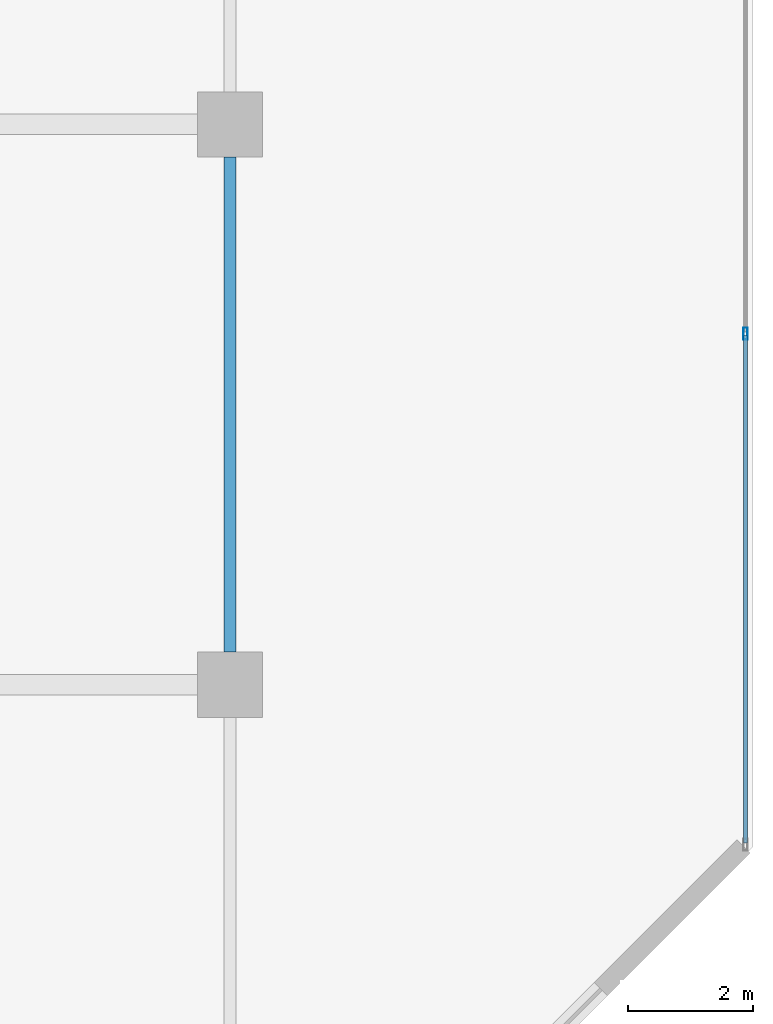
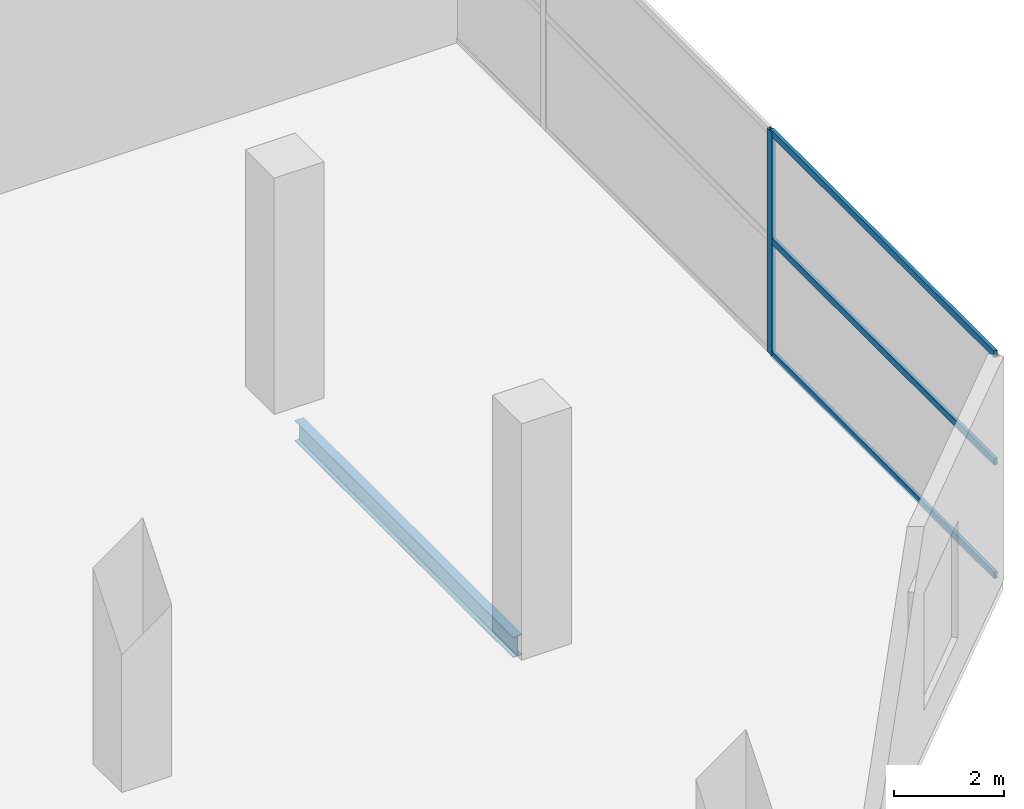
# One storey, part 25 of 40: 4 members, 1 beam, 1 element without a shape of its own.
"""IFC4 building model written with IfcOpenShell, lengths in metres."""

from ifc_helpers import new_model, si_unit, direction, frame, origin, origin_2d, place, context, subcontext, project, spatial, hollow_rectangle, i_section, extrude, material, layer, layer_set, material_profile, profile_set, type_object, element, aggregate, save


model = new_model("IFC4")

# Units and contexts
model_context = context("Model", 3, precision=1e-05, world=origin(), true_north=direction((0.0, 1.0)))
body_context = subcontext(model_context, "Body", "Model", "MODEL_VIEW")
ifc_project = project(units=[si_unit("LENGTHUNIT", "METRE"), si_unit("AREAUNIT", "SQUARE_METRE"), si_unit("VOLUMEUNIT", "CUBIC_METRE"), si_unit("PLANEANGLEUNIT", "RADIAN"), si_unit("MASSUNIT", "GRAM", prefix="KILO")], contexts=[model_context])

# Site, building, storey
site_placement = place(None, origin())
site = spatial("IfcSite", under=ifc_project, at=site_placement, CompositionType="ELEMENT")
building_placement = place(site_placement, origin())
building = spatial("IfcBuilding", under=site, at=building_placement, Name="Maruvema Waterfront Hotel and Observation Tower", CompositionType="ELEMENT")
storey_placement = place(building_placement, frame((0.0, 0.0, 5.60009765625)))
storey = spatial("IfcBuildingStorey", under=building, at=storey_placement, Name="L01", CompositionType="ELEMENT", Elevation=5.60009765625)

# Curtain wall, members
ifc_material_1 = material(Name="Anodised bronze aluminium and solar-control low-E IGU", Category="aluminium")
ifc_layer = layer(ifc_material_1, 0.159912109375, Name="Podium Waterfront Storefront Curtain Wall System CW-01")
ifc_layer_set = layer_set([ifc_layer], Name="Anodised bronze aluminium and solar-control low-E IGU")
curtain_wall_type = type_object("IfcCurtainWallType", Name="Podium Waterfront Storefront Curtain Wall System CW-01", PredefinedType="USERDEFINED", material=ifc_layer_set)
curtain_wall_placement = place(storey_placement, origin())
curtain_wall = element("IfcCurtainWall", 1, at=curtain_wall_placement, inside=storey, type_object=curtain_wall_type, Name="L01 Curtain Wall CW-L01-E", ObjectType="UNITISED CURTAIN WALL", PredefinedType="USERDEFINED")
ifc_material_2 = material(Name="Anodised architectural bronze aluminium", Category="aluminium")
ifc_material_profile_1 = material_profile(ifc_material_2, hollow_rectangle(XDim=0.070068359375, YDim=0.14990234375, WallThickness=0.00390625, at=origin_2d()), Name="ALU-T70x150")
ifc_profile_set_1 = profile_set([ifc_material_profile_1], Name="Anodised architectural bronze aluminium")
member_type_1 = type_object("IfcMemberType", Name="Curtain Wall Horizontal Transom ALU-T70x150", PredefinedType="USERDEFINED", material=ifc_profile_set_1)
member_1_placement = place(storey_placement, frame((75.47998046875, 6.4599609375, 0.02978515625), z_axis=(0.0, 1.0, 0.0), x_axis=(-1.0, 0.0, 0.0)))
member_1 = element("IfcMember", 2, at=member_1_placement, type_object=member_type_1, Name="CW-01 transom 1.1", ObjectType="TRANSOM", PredefinedType="USERDEFINED", context=body_context, shape_type="SweptSolid", body=[
    extrude(hollow_rectangle(XDim=0.070068359375, YDim=0.14990234375, WallThickness=0.00390625, at=origin_2d()), origin(), (0.0, 0.0, 1.0), 8.150146484375),
])
member_2_placement = place(storey_placement, frame((75.47998046875, 6.4599609375, 2.5498046875), z_axis=(0.0, 1.0, 0.0), x_axis=(-1.0, 0.0, 0.0)))
member_2 = element("IfcMember", 3, at=member_2_placement, type_object=member_type_1, Name="CW-01 transom 1.2", ObjectType="TRANSOM", PredefinedType="USERDEFINED", context=body_context, shape_type="SweptSolid", body=[
    extrude(hollow_rectangle(XDim=0.070068359375, YDim=0.14990234375, WallThickness=0.00390625, at=origin_2d()), origin(), (0.0, 0.0, 1.0), 8.150146484375),
])
member_3_placement = place(storey_placement, frame((75.47998046875, 6.4599609375, 4.93994140625), z_axis=(0.0, 1.0, 0.0), x_axis=(-1.0, 0.0, 0.0)))
member_3 = element("IfcMember", 4, at=member_3_placement, type_object=member_type_1, Name="CW-01 transom 1.3", ObjectType="TRANSOM", PredefinedType="USERDEFINED", context=body_context, shape_type="SweptSolid", body=[
    extrude(hollow_rectangle(XDim=0.070068359375, YDim=0.14990234375, WallThickness=0.00390625, at=origin_2d()), origin(), (0.0, 0.0, 1.0), 8.150146484375),
])

# Beam
ifc_material_3 = material(Name="Steel ASTM A572 Grade 50", Category="steel")
ifc_material_profile_2 = material_profile(ifc_material_3, i_section(OverallWidth=0.18994140625, OverallDepth=0.45703125, WebThickness=0.009033203125, FlangeThickness=0.014404296875, FilletRadius=0.014892578125, at=origin_2d()), Name="W460x74.0")
ifc_profile_set_2 = profile_set([ifc_material_profile_2], Name="Steel ASTM A572 Grade 50")
beam_type = type_object("IfcBeamType", Name="Perimeter Spandrel Beam W460x74.0", PredefinedType="SPANDREL", material=ifc_profile_set_2)
beam_placement = place(storey_placement, frame((67.199951171875, 9.52490234375, -0.508544921875), z_axis=(0.0, 1.0, 0.0), x_axis=(-1.0, 0.0, 0.0)))
element("IfcBeam", 5, at=beam_placement, inside=storey, type_object=beam_type, Name="L01 Floor Girder NS-30", PredefinedType="SPANDREL", context=body_context, shape_type="SweptSolid", body=[
    extrude(i_section(OverallWidth=0.18994140625, OverallDepth=0.45703125, WebThickness=0.009033203125, FlangeThickness=0.014404296875, FilletRadius=0.014892578125, at=origin_2d()), origin(), (0.0, 0.0, 1.0), 7.9501953125),
])

# Member
ifc_material_4 = material(Name="Anodised architectural bronze aluminium", Category="aluminium")
ifc_material_profile_3 = material_profile(ifc_material_4, hollow_rectangle(XDim=0.070068359375, YDim=0.18994140625, WallThickness=0.00390625, at=origin_2d()), Name="ALU-M70x190")
ifc_profile_set_3 = profile_set([ifc_material_profile_3], Name="Anodised architectural bronze aluminium")
member_type_2 = type_object("IfcMemberType", Name="Podium Storefront Heavy Mullion ALU-M70x190", PredefinedType="MULLION", material=ifc_profile_set_3)
member_4_placement = place(storey_placement, frame((75.47998046875, 14.639892578125, 0.0), z_axis=(0.0, 0.0, 1.0), x_axis=(-1.0, 0.0, 0.0)))
member_4 = element("IfcMember", 6, at=member_4_placement, type_object=member_type_2, Name="CW-01 mullion 2", PredefinedType="MULLION", context=body_context, shape_type="SweptSolid", body=[
    extrude(hollow_rectangle(XDim=0.070068359375, YDim=0.18994140625, WallThickness=0.00390625, at=origin_2d()), origin(), (0.0, 0.0, 1.0), 4.969970703125),
])

aggregate(curtain_wall, [member_4, member_1, member_2, member_3])

save(model, "model.ifc")
